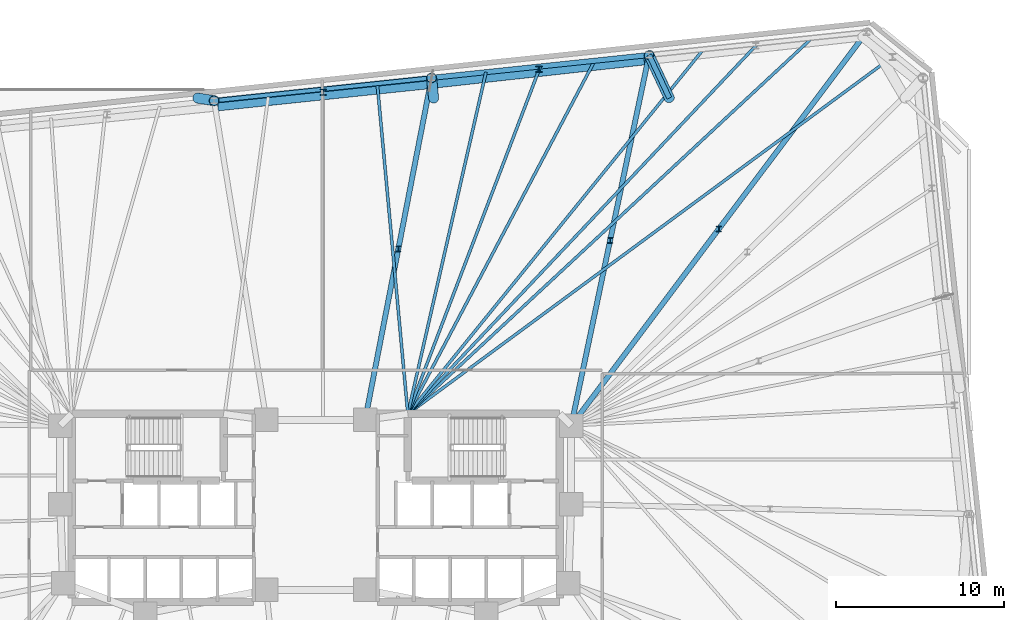
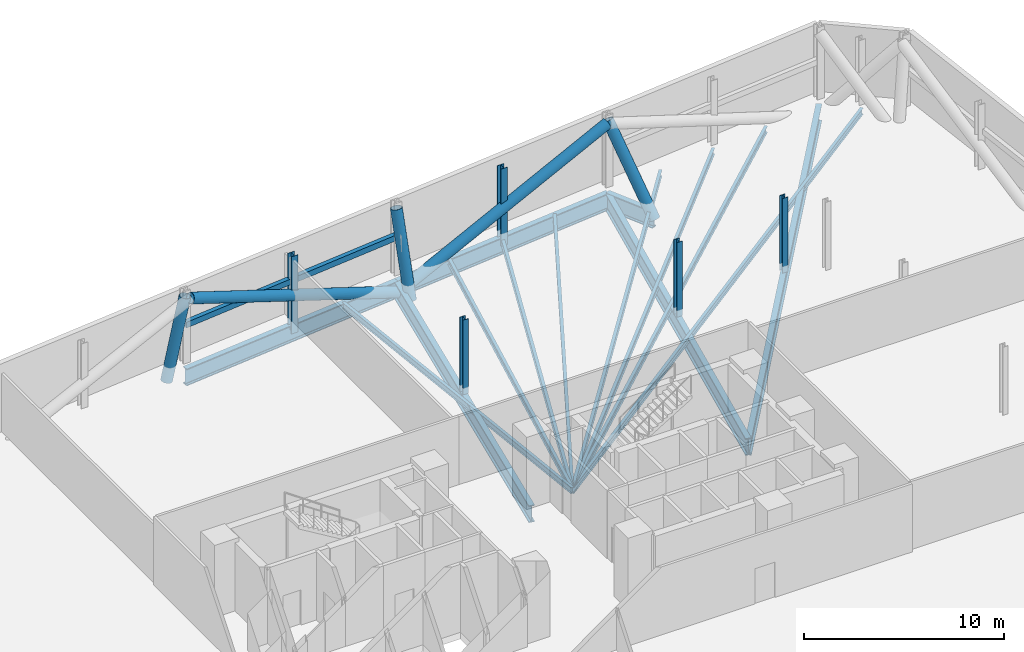
# One storey, part 9 of 17: 14 beams, 11 members.
"""IFC4 building model written with IfcOpenShell, lengths in metres."""

from ifc_helpers import new_model, si_unit, direction, frame, origin, origin_2d, place, context, subcontext, project, spatial, hollow_rectangle, hollow_circle, i_section, extrude, material, material_profile, profile_set, type_object, element, save


model = new_model("IFC4")

# Units and contexts
model_context = context("Model", 3, precision=1e-05, world=origin(), true_north=direction((0.0, 1.0)))
body_context = subcontext(model_context, "Body", "Model", "MODEL_VIEW")
ifc_project = project(units=[si_unit("LENGTHUNIT", "METRE"), si_unit("AREAUNIT", "SQUARE_METRE"), si_unit("VOLUMEUNIT", "CUBIC_METRE"), si_unit("PLANEANGLEUNIT", "RADIAN"), si_unit("MASSUNIT", "GRAM", prefix="KILO")], contexts=[model_context])

# Site, building, storey
site_placement = place(None, origin())
site = spatial("IfcSite", under=ifc_project, at=site_placement, CompositionType="ELEMENT")
building_placement = place(site_placement, origin())
building = spatial("IfcBuilding", under=site, at=building_placement, Name="Menara Jurai Vektor", CompositionType="ELEMENT")
storey_placement = place(building_placement, frame((0.0, 0.0, 78.800048828125)))
storey = spatial("IfcBuildingStorey", under=building, at=storey_placement, Name="L19", CompositionType="ELEMENT", Elevation=78.800048828125)

# Beams
ifc_material_1 = material(Name="Steel S460", Category="steel")
ifc_material_profile_1 = material_profile(ifc_material_1, i_section(OverallWidth=0.30908203125, OverallDepth=1.035888671875, WebThickness=0.030029296875, FlangeThickness=0.053955078125, FilletRadius=0.030029296875, at=origin_2d()), Name="UKB 1016x305x487")
ifc_profile_set_1 = profile_set([ifc_material_profile_1], Name="Steel S460")
beam_type_1 = type_object("IfcBeamType", Name="STR-BM-TR1016", PredefinedType="BEAM", material=ifc_profile_set_1)
beam_1_placement = place(storey_placement, frame((32.876220703125, 28.38623046875, -0.923095703125), z_axis=(-0.600250057552, -0.799812395758, 0.0), x_axis=(0.799812395758, -0.600250057552, 0.0)))
element("IfcBeam", 1, at=beam_1_placement, inside=storey, type_object=beam_type_1, Name="Outrigger Transfer Girder L19-N1", PredefinedType="BEAM", context=body_context, shape_type="SweptSolid", body=[
    extrude(i_section(OverallWidth=0.30908203125, OverallDepth=1.035888671875, WebThickness=0.030029296875, FlangeThickness=0.053955078125, FilletRadius=0.030029296875, at=origin_2d()), origin(), (0.0, 0.0, 1.0), 29.36474609375),
])
beam_2_placement = place(storey_placement, frame((19.896728515625, 27.02197265625, -0.923095703125), z_axis=(-0.994521636083, -0.104530930169, 0.0), x_axis=(0.104530930169, -0.994521636083, 0.0)))
element("IfcBeam", 2, at=beam_2_placement, inside=storey, type_object=beam_type_1, Name="Belt Truss Bottom Chord L19-12", PredefinedType="BEAM", context=body_context, shape_type="SweptSolid", body=[
    extrude(i_section(OverallWidth=0.30908203125, OverallDepth=1.035888671875, WebThickness=0.030029296875, FlangeThickness=0.053955078125, FilletRadius=0.030029296875, at=origin_2d()), origin(), (0.0, 0.0, 1.0), 13.05126953125),
])
beam_3_placement = place(storey_placement, frame((21.106689453125, 24.449951171875, -0.923095703125), z_axis=(-0.425681212342, 0.904873198553, 0.0), x_axis=(-0.904873198553, -0.425681212342, 0.0)))
element("IfcBeam", 3, at=beam_3_placement, inside=storey, type_object=beam_type_1, Name="Cantilever Transfer Girder L19-N2", PredefinedType="BEAM", context=body_context, shape_type="SweptSolid", body=[
    extrude(i_section(OverallWidth=0.30908203125, OverallDepth=1.035888671875, WebThickness=0.030029296875, FlangeThickness=0.053955078125, FilletRadius=0.030029296875, at=origin_2d()), origin(), (0.0, 0.0, 1.0), 2.842529296875),
])
beam_4_placement = place(storey_placement, frame((19.896728515625, 27.02197265625, -0.923095703125), z_axis=(-0.205563576063, -0.978643763683, 0.0), x_axis=(0.978643763683, -0.205563576063, 0.0)))
element("IfcBeam", 4, at=beam_4_placement, inside=storey, type_object=beam_type_1, Name="Outrigger Transfer Girder L19-N2", PredefinedType="BEAM", context=body_context, shape_type="SweptSolid", body=[
    extrude(i_section(OverallWidth=0.30908203125, OverallDepth=1.035888671875, WebThickness=0.030029296875, FlangeThickness=0.053955078125, FilletRadius=0.030029296875, at=origin_2d()), origin(), (0.0, 0.0, 1.0), 22.604736328125),
])
beam_5_placement = place(storey_placement, frame((6.9169921875, 25.65771484375, -0.923095703125), z_axis=(-0.994521431679, -0.104532874882, 0.0), x_axis=(0.104532874882, -0.994521431679, 0.0)))
element("IfcBeam", 5, at=beam_5_placement, inside=storey, type_object=beam_type_1, Name="Belt Truss Bottom Chord L19-13", PredefinedType="BEAM", context=body_context, shape_type="SweptSolid", body=[
    extrude(i_section(OverallWidth=0.30908203125, OverallDepth=1.035888671875, WebThickness=0.030029296875, FlangeThickness=0.053955078125, FilletRadius=0.030029296875, at=origin_2d()), origin(), (0.0, 0.0, 1.0), 13.051025390625),
])
beam_6_placement = place(storey_placement, frame((6.9169921875, 25.65771484375, -0.923095703125), z_axis=(-0.190817481746, -0.981625533826, 0.0), x_axis=(0.981625533826, -0.190817481746, 0.0)))
element("IfcBeam", 6, at=beam_6_placement, inside=storey, type_object=beam_type_1, Name="Outrigger Transfer Girder L19-N3", PredefinedType="BEAM", context=body_context, shape_type="SweptSolid", body=[
    extrude(i_section(OverallWidth=0.30908203125, OverallDepth=1.035888671875, WebThickness=0.030029296875, FlangeThickness=0.053955078125, FilletRadius=0.030029296875, at=origin_2d()), origin(), (0.0, 0.0, 1.0), 20.789794921875),
])

# Members
ifc_material_profile_2 = material_profile(ifc_material_1, hollow_circle(Radius=0.304931640625, WallThickness=0.02490234375, at=origin_2d()), Name="CHS 610x25")
ifc_profile_set_2 = profile_set([ifc_material_profile_2], Name="Steel S460")
member_type_1 = type_object("IfcMemberType", Name="STR-BR-610", PredefinedType="BRACE", material=ifc_profile_set_2)
member_1_placement = place(storey_placement, frame((6.85791015625, 25.322998046875, -0.923095703125), z_axis=(0.929022528037, 0.102681251436, 0.355490791729), x_axis=(-0.1098571439, 0.993947386904, 0.0)))
element("IfcMember", 7, at=member_1_placement, inside=storey, type_object=member_type_1, Name="Belt Truss Web Diagonal L19-12", PredefinedType="BRACE", context=body_context, shape_type="SweptSolid", body=[
    extrude(hollow_circle(Radius=0.304931640625, WallThickness=0.02490234375, at=origin_2d()), origin(), (0.0, 0.0, 1.0), 13.826171875),
])
member_2_placement = place(storey_placement, frame((6.85791015625, 25.322998046875, -0.923095703125), z_axis=(-0.92901603147, -0.097635329872, 0.356926540946), x_axis=(0.104519791921, -0.994522806725, 0.0)))
element("IfcMember", 8, at=member_2_placement, inside=storey, type_object=member_type_1, Name="Belt Truss Web Diagonal L19-13", PredefinedType="BRACE", context=body_context, shape_type="SweptSolid", body=[
    extrude(hollow_circle(Radius=0.304931640625, WallThickness=0.02490234375, at=origin_2d()), origin(), (0.0, 0.0, 1.0), 13.7705078125),
])
ifc_material_profile_3 = material_profile(ifc_material_1, hollow_rectangle(XDim=0.25, YDim=0.35009765625, WallThickness=0.012451171875, at=origin_2d()), Name="RHS 350x250x12.5")
ifc_profile_set_3 = profile_set([ifc_material_profile_3], Name="Steel S460")
member_type_2 = type_object("IfcMemberType", Name="STR-CH-RHS350", PredefinedType="CHORD", material=ifc_profile_set_3)
member_3_placement = place(storey_placement, frame((6.9169921875, 25.65771484375, 2.2548828125), z_axis=(-0.994521431679, -0.104532874882, 0.0), x_axis=(0.104532874882, -0.994521431679, 0.0)))
element("IfcMember", 9, at=member_3_placement, inside=storey, type_object=member_type_2, Name="Belt Truss Mid Chord L19-13", PredefinedType="CHORD", context=body_context, shape_type="SweptSolid", body=[
    extrude(hollow_rectangle(XDim=0.25, YDim=0.35009765625, WallThickness=0.012451171875, at=origin_2d()), origin(), (0.0, 0.0, 1.0), 13.051025390625),
])

# Beams
ifc_material_2 = material(Name="Steel S355", Category="steel")
ifc_material_profile_4 = material_profile(ifc_material_2, i_section(OverallWidth=0.175048828125, OverallDepth=0.3798828125, WebThickness=0.010009765625, FlangeThickness=0.014892578125, at=origin_2d()), Name="PG 380x175x58")
ifc_profile_set_4 = profile_set([ifc_material_profile_4], Name="Steel S355")
beam_type_2 = type_object("IfcBeamType", Name="STR-JS-380", PredefinedType="JOIST", material=ifc_profile_set_4)
beam_7_placement = place(storey_placement, frame((34.564453125, 27.01904296875, -0.594970703125), z_axis=(-0.805015724179, -0.593253473504, 0.0), x_axis=(0.593253473504, -0.805015724179, 0.0)))
element("IfcBeam", 10, at=beam_7_placement, inside=storey, type_object=beam_type_2, Name="Radial Secondary Floor Joist L19-JS19", PredefinedType="JOIST", context=body_context, shape_type="SweptSolid", body=[
    extrude(i_section(OverallWidth=0.175048828125, OverallDepth=0.3798828125, WebThickness=0.010009765625, FlangeThickness=0.014892578125, at=origin_2d()), origin(), (0.0, 0.0, 1.0), 36.104248046875),
])
beam_8_placement = place(storey_placement, frame((29.63134765625, 28.045166015625, -0.594970703125), z_axis=(-0.732227546694, -0.681060070671, 0.0), x_axis=(0.681060070671, -0.732227546694, 0.0)))
element("IfcBeam", 11, at=beam_8_placement, inside=storey, type_object=beam_type_2, Name="Radial Secondary Floor Joist L19-JS20", PredefinedType="JOIST", context=body_context, shape_type="SweptSolid", body=[
    extrude(i_section(OverallWidth=0.175048828125, OverallDepth=0.3798828125, WebThickness=0.010009765625, FlangeThickness=0.014892578125, at=origin_2d()), origin(), (0.0, 0.0, 1.0), 32.9560546875),
])
beam_9_placement = place(storey_placement, frame((26.386474609375, 27.7041015625, -0.594970703125), z_axis=(-0.686805497462, -0.726841254096, 0.0), x_axis=(0.726841254096, -0.686805497462, 0.0)))
element("IfcBeam", 12, at=beam_9_placement, inside=storey, type_object=beam_type_2, Name="Radial Secondary Floor Joist L19-JS21", PredefinedType="JOIST", context=body_context, shape_type="SweptSolid", body=[
    extrude(i_section(OverallWidth=0.175048828125, OverallDepth=0.3798828125, WebThickness=0.010009765625, FlangeThickness=0.014892578125, at=origin_2d()), origin(), (0.0, 0.0, 1.0), 30.4111328125),
])
beam_10_placement = place(storey_placement, frame((23.1416015625, 27.363037109375, -0.594970703125), z_axis=(-0.629715269624, -0.776826028917, 0.0), x_axis=(0.776826028917, -0.629715269624, 0.0)))
element("IfcBeam", 13, at=beam_10_placement, inside=storey, type_object=beam_type_2, Name="Radial Secondary Floor Joist L19-JS22", PredefinedType="JOIST", context=body_context, shape_type="SweptSolid", body=[
    extrude(i_section(OverallWidth=0.175048828125, OverallDepth=0.3798828125, WebThickness=0.010009765625, FlangeThickness=0.014892578125, at=origin_2d()), origin(), (0.0, 0.0, 1.0), 28.01513671875),
])
beam_11_placement = place(storey_placement, frame((16.651611328125, 26.680908203125, -0.594970703125), z_axis=(-0.467598899237, -0.883940761268, 0.0), x_axis=(0.883940761268, -0.467598899237, 0.0)))
element("IfcBeam", 14, at=beam_11_placement, inside=storey, type_object=beam_type_2, Name="Radial Secondary Floor Joist L19-JS23", PredefinedType="JOIST", context=body_context, shape_type="SweptSolid", body=[
    extrude(i_section(OverallWidth=0.175048828125, OverallDepth=0.3798828125, WebThickness=0.010009765625, FlangeThickness=0.014892578125, at=origin_2d()), origin(), (0.0, 0.0, 1.0), 23.8486328125),
])
beam_12_placement = place(storey_placement, frame((13.40673828125, 26.33984375, -0.594970703125), z_axis=(-0.3562267616, -0.934399536772, 0.0), x_axis=(0.934399536772, -0.3562267616, 0.0)))
element("IfcBeam", 15, at=beam_12_placement, inside=storey, type_object=beam_type_2, Name="Radial Secondary Floor Joist L19-JS24", PredefinedType="JOIST", context=body_context, shape_type="SweptSolid", body=[
    extrude(i_section(OverallWidth=0.175048828125, OverallDepth=0.3798828125, WebThickness=0.010009765625, FlangeThickness=0.014892578125, at=origin_2d()), origin(), (0.0, 0.0, 1.0), 22.19580078125),
])
beam_13_placement = place(storey_placement, frame((10.161865234375, 25.998779296875, -0.594970703125), z_axis=(-0.222793437271, -0.974865675008, 0.0), x_axis=(0.974865675008, -0.222793437271, 0.0)))
element("IfcBeam", 16, at=beam_13_placement, inside=storey, type_object=beam_type_2, Name="Radial Secondary Floor Joist L19-JS25", PredefinedType="JOIST", context=body_context, shape_type="SweptSolid", body=[
    extrude(i_section(OverallWidth=0.175048828125, OverallDepth=0.3798828125, WebThickness=0.010009765625, FlangeThickness=0.014892578125, at=origin_2d()), origin(), (0.0, 0.0, 1.0), 20.924560546875),
])
beam_14_placement = place(storey_placement, frame((3.672119140625, 25.316650390625, -0.594970703125), z_axis=(0.092312082085, -0.995730123829, 0.0), x_axis=(0.995730123829, 0.092312082085, 0.0)))
element("IfcBeam", 17, at=beam_14_placement, inside=storey, type_object=beam_type_2, Name="Radial Secondary Floor Joist L19-JS26", PredefinedType="JOIST", context=body_context, shape_type="SweptSolid", body=[
    extrude(i_section(OverallWidth=0.175048828125, OverallDepth=0.3798828125, WebThickness=0.010009765625, FlangeThickness=0.014892578125, at=origin_2d()), origin(), (0.0, 0.0, 1.0), 19.801025390625),
])

# Members
ifc_material_profile_5 = material_profile(ifc_material_1, i_section(OverallWidth=0.31103515625, OverallDepth=0.326904296875, WebThickness=0.01611328125, FlangeThickness=0.02490234375, FilletRadius=0.014892578125, at=origin_2d()), Name="UKC 305x305x158")
ifc_profile_set_5 = profile_set([ifc_material_profile_5], Name="Steel S460")
member_type_3 = type_object("IfcMemberType", Name="STR-POST-305", PredefinedType="POST", material=ifc_profile_set_5)
for number, where, z_axis, x_axis, name in (
    (18, (24.06298828125, 16.64306640625, -0.405029296875), (0.0, 0.0, 1.0), (1.0, 0.0, 0.0), "Girder Hanger L19-N1"),
    (19, (17.5732421875, 15.9609375, -0.405029296875), (0.0, 0.0, 1.0), (1.0, 0.0, 0.0), "Girder Hanger L19-N2"),
    (20, (4.93359375, 15.453857421875, -0.405029296875), (0.0, 0.0, 1.0), (1.0, 0.0, 0.0), "Girder Hanger L19-N3"),
):
    element("IfcMember", number, at=place(storey_placement, frame(where, z_axis=z_axis, x_axis=x_axis)), inside=storey, type_object=member_type_3, Name=name, PredefinedType="POST", context=body_context, shape_type="SweptSolid", body=[
        extrude(i_section(OverallWidth=0.31103515625, OverallDepth=0.326904296875, WebThickness=0.01611328125, FlangeThickness=0.02490234375, FilletRadius=0.014892578125, at=origin_2d()), origin(), (0.0, 0.0, 1.0), 4.554931640625),
    ])
ifc_material_profile_6 = material_profile(ifc_material_1, i_section(OverallWidth=0.375, OverallDepth=0.375, WebThickness=0.01708984375, FlangeThickness=0.027099609375, FilletRadius=0.014892578125, at=origin_2d()), Name="UKC 356x368x202")
ifc_profile_set_6 = profile_set([ifc_material_profile_6], Name="Steel S460")
member_type_4 = type_object("IfcMemberType", Name="STR-POST-368", PredefinedType="POST", material=ifc_profile_set_6)
for number, where, z_axis, x_axis, name in (
    (21, (13.333984375, 26.17529296875, -0.755126953125), (0.0, 0.0, 1.0), (1.0, 0.0, 0.0), "Belt Truss Vertical Web Post L19-12"),
    (22, (0.446044921875, 24.796630859375, -0.755126953125), (0.0, 0.0, 1.0), (1.0, 0.0, 0.0), "Belt Truss Vertical Web Post L19-13"),
):
    element("IfcMember", number, at=place(storey_placement, frame(where, z_axis=z_axis, x_axis=x_axis)), inside=storey, type_object=member_type_4, Name=name, PredefinedType="POST", context=body_context, shape_type="SweptSolid", body=[
        extrude(i_section(OverallWidth=0.375, OverallDepth=0.375, WebThickness=0.01708984375, FlangeThickness=0.027099609375, FilletRadius=0.014892578125, at=origin_2d()), origin(), (0.0, 0.0, 1.0), 4.705078125),
    ])
ifc_material_profile_7 = material_profile(ifc_material_1, hollow_circle(Radius=0.304931640625, WallThickness=0.02490234375, at=origin_2d()), Name="CHS 610x25")
ifc_profile_set_7 = profile_set([ifc_material_profile_7], Name="Steel S460")
member_type_5 = type_object("IfcMemberType", Name="STR-ST-610", PredefinedType="STRUT", material=ifc_profile_set_7)
member_4_placement = place(storey_placement, frame((21.106689453125, 24.449951171875, -0.923095703125), z_axis=(-0.213105497446, 0.452999680305, 0.865665834258), x_axis=(-0.904873198553, -0.425681212342, 0.0)))
element("IfcMember", 23, at=member_4_placement, inside=storey, type_object=member_type_5, Name="Transfer Outrigger Strut L19-N2", PredefinedType="STRUT", context=body_context, shape_type="SweptSolid", body=[
    extrude(hollow_circle(Radius=0.304931640625, WallThickness=0.02490234375, at=origin_2d()), origin(), (0.0, 0.0, 1.0), 5.677734375),
])
member_5_placement = place(storey_placement, frame((7.03564453125, 24.449951171875, -0.923095703125), z_axis=(-0.023436825954, 0.238563740732, 0.970843991997), x_axis=(-0.995208969974, -0.097770681101, 0.0)))
element("IfcMember", 24, at=member_5_placement, inside=storey, type_object=member_type_5, Name="Transfer Outrigger Strut L19-N3", PredefinedType="STRUT", context=body_context, shape_type="SweptSolid", body=[
    extrude(hollow_circle(Radius=0.304931640625, WallThickness=0.02490234375, at=origin_2d()), origin(), (0.0, 0.0, 1.0), 5.062744140625),
])
member_6_placement = place(storey_placement, frame((-7.03564453125, 24.449951171875, -0.923095703125), z_axis=(0.194128274989, -0.031218320188, 0.98047928552), x_axis=(0.158772953564, 0.987315121538, 0.0)))
element("IfcMember", 25, at=member_6_placement, inside=storey, type_object=member_type_5, Name="Transfer Outrigger Strut L19-N4", PredefinedType="STRUT", context=body_context, shape_type="SweptSolid", body=[
    extrude(hollow_circle(Radius=0.304931640625, WallThickness=0.02490234375, at=origin_2d()), origin(), (0.0, 0.0, 1.0), 5.012939453125),
])

save(model, "model.ifc")
